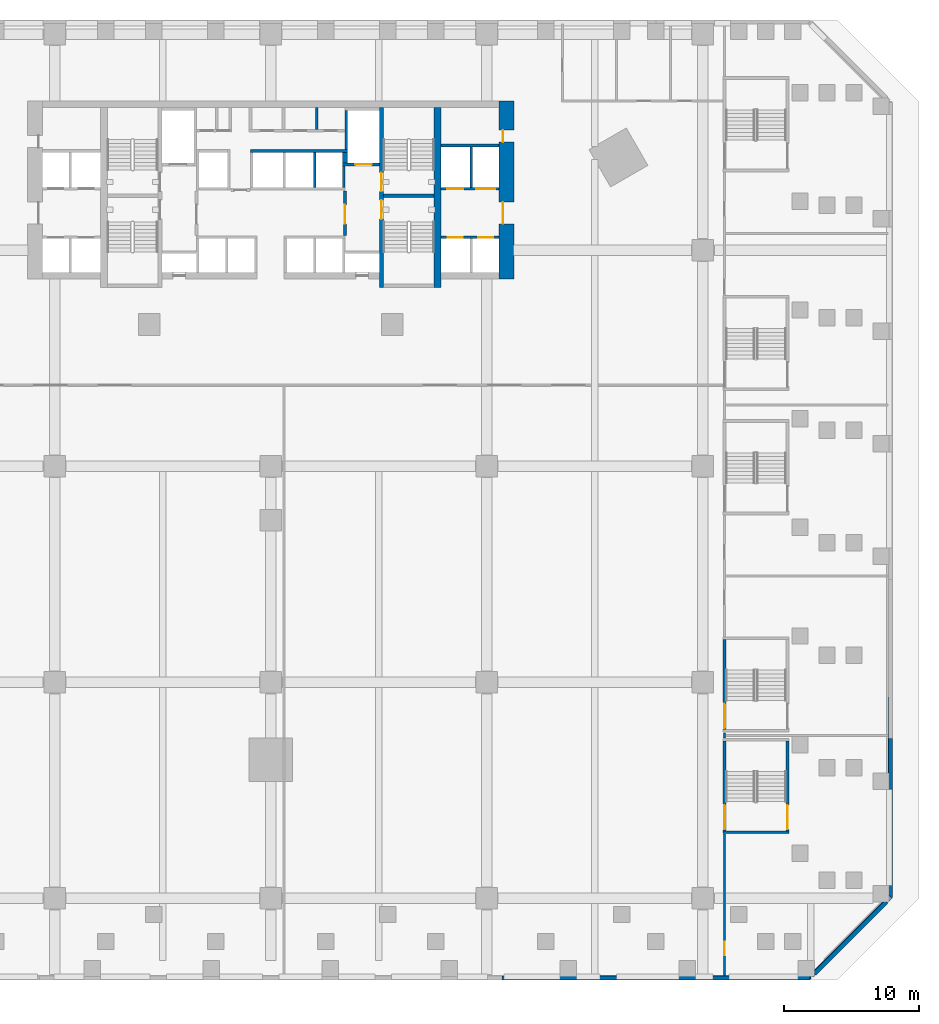
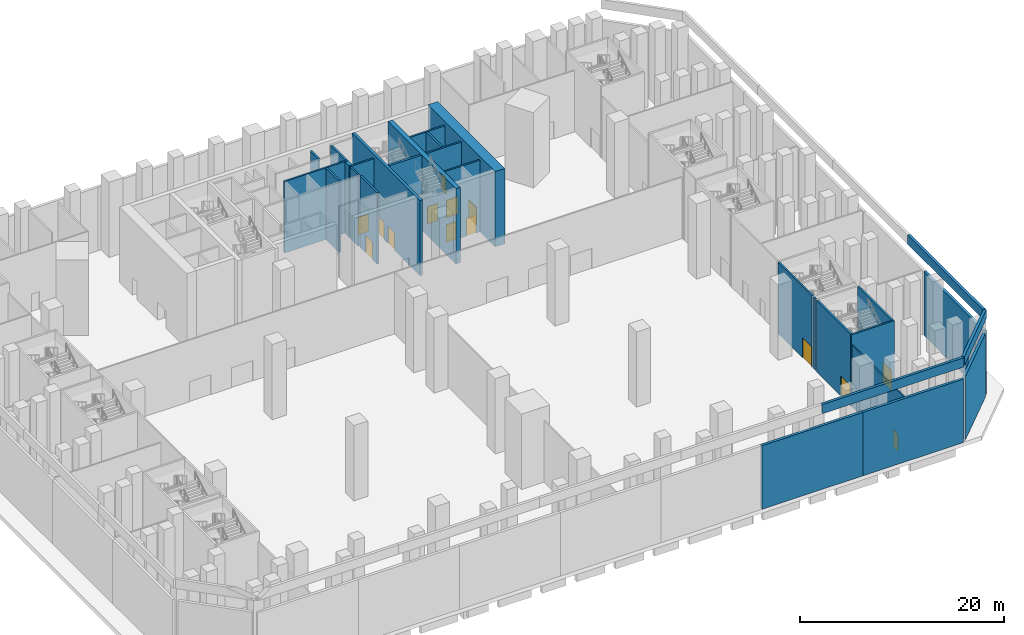
# One storey, part 8 of 25: 29 walls, 14 doors, 14 openings.
"""IFC4 building model written with IfcOpenShell, lengths in metres."""

from ifc_helpers import new_model, si_unit, direction, frame, frame_2d, origin, place, context, subcontext, project, spatial, rectangle, extrude, material, layer, layer_set, type_object, element, fill, save


model = new_model("IFC4")

# Units and contexts
model_context = context("Model", 3, precision=1e-05, world=origin(), true_north=direction((0.0, 1.0)))
body_context = subcontext(model_context, "Body", "Model", "MODEL_VIEW")
ifc_project = project(units=[si_unit("LENGTHUNIT", "METRE"), si_unit("AREAUNIT", "SQUARE_METRE"), si_unit("VOLUMEUNIT", "CUBIC_METRE"), si_unit("PLANEANGLEUNIT", "RADIAN"), si_unit("MASSUNIT", "GRAM", prefix="KILO")], contexts=[model_context])

# Site, building, storey
site_placement = place(None, origin())
site = spatial("IfcSite", under=ifc_project, at=site_placement, CompositionType="ELEMENT")
building_placement = place(site_placement, origin())
building = spatial("IfcBuilding", under=site, at=building_placement, Name="Calabash Gate Tower", CompositionType="ELEMENT")
storey_placement = place(building_placement, frame((0.0, 0.0, 20.0)))
storey = spatial("IfcBuildingStorey", under=building, at=storey_placement, Name="L02", CompositionType="ELEMENT", Elevation=20.0)

# Wall
ifc_material_1 = material(Name="Gypsum board on steel studs, mineral wool", Category="steel")
ifc_layer_1 = layer(ifc_material_1, 0.199951171875)
ifc_layer_set_1 = layer_set([ifc_layer_1], Name="Core partition 200 gypsum board")
wall_type_1 = type_object("IfcWallType", Name="Core partition 200 gypsum board", PredefinedType="PARTITIONING", material=ifc_layer_set_1)
wall_1_placement = place(storey_placement, frame((3.39990234375, 16.95263671875, 0.0), z_axis=(0.0, 0.0, 1.0), x_axis=(0.0, 1.0, 0.0)))
element("IfcWall", 1, at=wall_1_placement, inside=storey, type_object=wall_type_1, Name="Core partition", PredefinedType="PARTITIONING", context=body_context, shape_type="SweptSolid", body=[
    extrude(rectangle(XDim=1.599853515625, YDim=0.199951171875, at=frame_2d((0.7998046875, 0.0))), origin(), (0.0, 0.0, 1.0), 8.550048828125),
])

# Wall, openings, doors
ifc_material_2 = material(Name="Concrete C80/95", Category="concrete")
ifc_layer_2 = layer(ifc_material_2, 1.10009765625)
ifc_layer_set_2 = layer_set([ifc_layer_2], Name="Core wall 1100 Concrete C80/95")
wall_type_2 = type_object("IfcWallType", Name="Core wall 1100 Concrete C80/95", PredefinedType="SHEAR", material=ifc_layer_set_2)
wall_2_placement = place(storey_placement, frame((17.449951171875, 5.8525390625, 0.0), z_axis=(0.0, 0.0, 1.0), x_axis=(0.0, 1.0, 0.0)))
wall_2 = element("IfcWall", 2, at=wall_2_placement, inside=storey, type_object=wall_type_2, Name="Core wall Z0-ENDE L02", PredefinedType="SHEAR", context=body_context, shape_type="SweptSolid", body=[
    extrude(rectangle(XDim=13.199951171875, YDim=1.10009765625, at=frame_2d((6.60009765625, 0.0))), origin(), (0.0, 0.0, 1.0), 9.0),
])
opening_1_placement = place(wall_2_placement, frame((4.10009765625, 0.0, 0.0)))
opening_1 = element("IfcOpeningElement", 3, at=opening_1_placement, cuts=wall_2, Name="Opening L02-017", PredefinedType="OPENING", context=body_context, shape_type="SweptSolid", body=[
    extrude(rectangle(XDim=1.60009765625, YDim=2.10009765625, at=frame_2d((0.800048828125, 1.050048828125))), frame((0.0, 0.56005859375, 0.0), z_axis=(0.0, -1.0, 0.0), x_axis=(1.0, 0.0, 0.0)), (0.0, 0.0, 1.0), 1.1201171875),
])
opening_2_placement = place(wall_2_placement, frame((10.14990234375, 0.0, 0.0)))
opening_2 = element("IfcOpeningElement", 4, at=opening_2_placement, cuts=wall_2, Name="Opening L02-018", PredefinedType="OPENING", context=body_context, shape_type="SweptSolid", body=[
    extrude(rectangle(XDim=0.89990234375, YDim=2.10009765625, at=frame_2d((0.449951171875, 1.050048828125))), frame((0.0, 0.56005859375, 0.0), z_axis=(0.0, -1.0, 0.0), x_axis=(1.0, 0.0, 0.0)), (0.0, 0.0, 1.0), 1.1201171875),
])
ifc_material_3 = material(Name="Steel fire door set with fire-resisting glazing", Category="steel")
door_type_1 = type_object("IfcDoorType", Name="Double fire door D08 1600x2100 FD60", OperationType="DOUBLE_DOOR_SINGLE_SWING", PredefinedType="DOOR", material=ifc_material_3)
door_1_placement = place(opening_1_placement, origin())
door_1 = element("IfcDoor", 5, at=door_1_placement, inside=storey, type_object=door_type_1, Name="Low-rise Lift Lobby E door", OperationType="DOUBLE_DOOR_SINGLE_SWING", OverallHeight=2.10009765625, OverallWidth=1.60009765625, PredefinedType="DOOR", context=body_context, shape_type="SweptSolid", body=[
    extrude(rectangle(XDim=1.60009765625, YDim=2.10009765625, at=frame_2d((0.800048828125, 1.050048828125))), frame((0.0, 0.27490234375, 0.0), z_axis=(0.0, -1.0, 0.0), x_axis=(1.0, 0.0, 0.0)), (0.0, 0.0, 1.0), 0.050048828125),
])
fill(opening_1, door_1)
ifc_material_4 = material(Name="Steel fire door set with fire-resisting glazing", Category="steel")
door_type_2 = type_object("IfcDoorType", Name="Fire door D06 900x2100 FD60", OperationType="NOTDEFINED", PredefinedType="DOOR", material=ifc_material_4)
door_2_placement = place(opening_2_placement, origin())
door_2 = element("IfcDoor", 6, at=door_2_placement, inside=storey, type_object=door_type_2, Name="Staff WC door", OperationType="SINGLE_SWING_LEFT", OverallHeight=2.10009765625, OverallWidth=0.89990234375, PredefinedType="DOOR", context=body_context, shape_type="SweptSolid", body=[
    extrude(rectangle(XDim=0.89990234375, YDim=2.10009765625, at=frame_2d((0.449951171875, 1.050048828125))), frame((0.0, 0.27490234375, 0.0), z_axis=(0.0, -1.0, 0.0), x_axis=(1.0, 0.0, 0.0)), (0.0, 0.0, 1.0), 0.050048828125),
])
fill(opening_2, door_2)

# Wall
ifc_material_5 = material(Name="Concrete C80/95", Category="concrete")
ifc_layer_3 = layer(ifc_material_5, 0.25)
ifc_layer_set_3 = layer_set([ifc_layer_3], Name="Core wall 250 Concrete C80/95")
wall_type_3 = type_object("IfcWallType", Name="Core wall 250 Concrete C80/95", PredefinedType="SHEAR", material=ifc_layer_set_3)
wall_3_placement = place(storey_placement, frame((8.35009765625, 12.027587890625, 0.0), z_axis=(0.0, 0.0, 1.0), x_axis=(1.0, 0.0, 0.0)))
element("IfcWall", 7, at=wall_3_placement, inside=storey, type_object=wall_type_3, Name="Core wall Z0-MIDE L02", PredefinedType="SHEAR", context=body_context, shape_type="SweptSolid", body=[
    extrude(rectangle(XDim=3.75, YDim=0.25, at=frame_2d((1.875, 0.0))), origin(), (0.0, 0.0, 1.0), 9.0),
])

# Wall, openings, doors
ifc_material_6 = material(Name="Concrete C80/95", Category="concrete")
ifc_layer_4 = layer(ifc_material_6, 0.300048828125)
ifc_layer_set_4 = layer_set([ifc_layer_4], Name="Core wall 300 Concrete C80/95")
wall_type_4 = type_object("IfcWallType", Name="Core wall 300 Concrete C80/95", PredefinedType="SHEAR", material=ifc_layer_set_4)
wall_4_placement = place(storey_placement, frame((8.199951171875, 5.252685546875, 0.0), z_axis=(0.0, 0.0, 1.0), x_axis=(0.0, 1.0, 0.0)))
wall_4 = element("IfcWall", 8, at=wall_4_placement, inside=storey, type_object=wall_type_4, Name="Core wall Z0-PARTE L02", PredefinedType="SHEAR", context=body_context, shape_type="SweptSolid", body=[
    extrude(rectangle(XDim=13.2998046875, YDim=0.300048828125, at=frame_2d((6.64990234375, 0.0))), origin(), (0.0, 0.0, 1.0), 9.0),
])
opening_3_placement = place(wall_4_placement, frame((7.10009765625, 0.0, 0.0)))
opening_3 = element("IfcOpeningElement", 9, at=opening_3_placement, cuts=wall_4, Name="Opening L02-003", PredefinedType="OPENING", context=body_context, shape_type="SweptSolid", body=[
    extrude(rectangle(XDim=1.39990234375, YDim=2.10009765625, at=frame_2d((0.699951171875, 1.050048828125))), frame((0.0, 0.159912109375, 0.0), z_axis=(0.0, -1.0, 0.0), x_axis=(1.0, 0.0, 0.0)), (0.0, 0.0, 1.0), 0.320068359375),
])
opening_4_placement = place(wall_4_placement, frame((5.050048828125, 0.0, 0.0)))
opening_4 = element("IfcOpeningElement", 10, at=opening_4_placement, cuts=wall_4, Name="Opening L02-004", PredefinedType="OPENING", context=body_context, shape_type="SweptSolid", body=[
    extrude(rectangle(XDim=1.39990234375, YDim=2.10009765625, at=frame_2d((0.699951171875, 1.050048828125))), frame((0.0, 0.159912109375, 0.0), z_axis=(0.0, -1.0, 0.0), x_axis=(1.0, 0.0, 0.0)), (0.0, 0.0, 1.0), 0.320068359375),
])
ifc_material_7 = material(Name="Steel fire door set with fire-resisting glazing", Category="steel")
door_type_3 = type_object("IfcDoorType", Name="Fire door D05 1400x2100 FD90", OperationType="NOTDEFINED", PredefinedType="DOOR", material=ifc_material_7)
door_3_placement = place(opening_3_placement, origin())
door_3 = element("IfcDoor", 11, at=door_3_placement, inside=storey, type_object=door_type_3, Name="Exit stair door ST3", OperationType="SINGLE_SWING_RIGHT", OverallHeight=2.10009765625, OverallWidth=1.39990234375, PredefinedType="DOOR", context=body_context, shape_type="SweptSolid", body=[
    extrude(rectangle(XDim=1.39990234375, YDim=2.10009765625, at=frame_2d((0.699951171875, 1.050048828125))), frame((0.0, 0.02490234375, 0.0), z_axis=(0.0, -1.0, 0.0), x_axis=(1.0, 0.0, 0.0)), (0.0, 0.0, 1.0), 0.050048828125),
])
fill(opening_3, door_3)
door_4_placement = place(opening_4_placement, origin())
door_4 = element("IfcDoor", 12, at=door_4_placement, inside=storey, type_object=door_type_3, Name="Exit stair door ST4", OperationType="SINGLE_SWING_LEFT", OverallHeight=2.10009765625, OverallWidth=1.39990234375, PredefinedType="DOOR", context=body_context, shape_type="SweptSolid", body=[
    extrude(rectangle(XDim=1.39990234375, YDim=2.10009765625, at=frame_2d((0.699951171875, 1.050048828125))), frame((0.0, 0.02490234375, 0.0), z_axis=(0.0, -1.0, 0.0), x_axis=(1.0, 0.0, 0.0)), (0.0, 0.0, 1.0), 0.050048828125),
])
fill(opening_4, door_4)

# Wall
ifc_material_8 = material(Name="Concrete C80/95", Category="concrete")
ifc_layer_5 = layer(ifc_material_8, 0.5)
ifc_layer_set_5 = layer_set([ifc_layer_5], Name="Core wall 500 Concrete C80/95")
wall_type_5 = type_object("IfcWallType", Name="Core wall 500 Concrete C80/95", PredefinedType="SHEAR", material=ifc_layer_set_5)
wall_5_placement = place(storey_placement, frame((12.35009765625, 5.252685546875, 0.0), z_axis=(0.0, 0.0, 1.0), x_axis=(0.0, 1.0, 0.0)))
element("IfcWall", 13, at=wall_5_placement, inside=storey, type_object=wall_type_5, Name="Core wall Z0-COLE L02", PredefinedType="SHEAR", context=body_context, shape_type="SweptSolid", body=[
    extrude(rectangle(XDim=13.2998046875, YDim=0.5, at=frame_2d((6.64990234375, 0.0))), origin(), (0.0, 0.0, 1.0), 9.0),
])

# Wall, opening, door
ifc_material_9 = material(Name="Gypsum board on steel studs, mineral wool", Category="steel")
ifc_layer_6 = layer(ifc_material_9, 0.14990234375)
ifc_layer_set_6 = layer_set([ifc_layer_6], Name="Partition 150 gypsum board")
wall_type_6 = type_object("IfcWallType", Name="Partition 150 gypsum board", PredefinedType="PARTITIONING", material=ifc_layer_set_6)
wall_6_placement = place(storey_placement, frame((33.60009765625, -45.719970703125, 0.0), z_axis=(0.0, 0.0, 1.0), x_axis=(0.0, 1.0, 0.0)))
wall_6 = element("IfcWall", 14, at=wall_6_placement, inside=storey, type_object=wall_type_6, Name="Partition", PredefinedType="PARTITIONING", context=body_context, shape_type="SweptSolid", body=[
    extrude(rectangle(XDim=10.47998046875, YDim=0.14990234375, at=frame_2d((5.239990234375, 0.0))), origin(), (0.0, 0.0, 1.0), 7.35009765625),
])
opening_5_placement = place(wall_6_placement, frame((1.51904296875, 0.0, 0.0)))
opening_5 = element("IfcOpeningElement", 15, at=opening_5_placement, cuts=wall_6, Name="Opening L02-056", PredefinedType="OPENING", context=body_context, shape_type="SweptSolid", body=[
    extrude(rectangle(XDim=1.0, YDim=2.10009765625, at=frame_2d((0.5, 1.050048828125))), frame((0.0, 0.0849609375, 0.0), z_axis=(0.0, -1.0, 0.0), x_axis=(1.0, 0.0, 0.0)), (0.0, 0.0, 1.0), 0.169921875),
])
ifc_material_10 = material(Name="Steel fire door set with fire-resisting glazing", Category="steel")
door_type_4 = type_object("IfcDoorType", Name="Fire door D11 1000x2100 FD60", OperationType="NOTDEFINED", PredefinedType="DOOR", material=ifc_material_10)
door_5_placement = place(opening_5_placement, origin())
door_5 = element("IfcDoor", 16, at=door_5_placement, inside=storey, type_object=door_type_4, Name="Meeting Room 201 door", OperationType="SINGLE_SWING_LEFT", OverallHeight=2.10009765625, OverallWidth=1.0, PredefinedType="DOOR", context=body_context, shape_type="SweptSolid", body=[
    extrude(rectangle(XDim=1.0, YDim=2.10009765625, at=frame_2d((0.5, 1.050048828125))), frame((0.0, 0.02490234375, 0.0), z_axis=(0.0, -1.0, 0.0), x_axis=(1.0, 0.0, 0.0)), (0.0, 0.0, 1.0), 0.050048828125),
])
fill(opening_5, door_5)

# Walls
wall_7_placement = place(storey_placement, frame((33.60009765625, -28.110107421875, 0.0), z_axis=(0.0, 0.0, 1.0), x_axis=(0.0, 1.0, 0.0)))
element("IfcWall", 17, at=wall_7_placement, inside=storey, type_object=wall_type_6, Name="Partition", PredefinedType="PARTITIONING", context=body_context, shape_type="SweptSolid", body=[
    extrude(rectangle(XDim=0.3701171875, YDim=0.14990234375, at=frame_2d((0.18505859375, 0.0))), origin(), (0.0, 0.0, 1.0), 8.550048828125),
])
ifc_material_11 = material(Name="Terracotta brick masonry, exposed face", Category="masonry")
ifc_layer_7 = layer(ifc_material_11, 0.300048828125)
ifc_layer_set_7 = layer_set([ifc_layer_7], Name="Podium brick wall 300")
wall_type_7 = type_object("IfcWallType", Name="Podium brick wall 300", PredefinedType="SOLIDWALL", material=ifc_layer_set_7)
for number, where, z_axis, x_axis, name in (
    (18, (17.121337890625, -45.89990234375, 0.0), (0.0, 0.0, 1.0), (1.0, 0.0, 0.0), "Podium brick wall L02 0.0.5"),
    (19, (28.53564453125, -45.89990234375, 0.0), (0.0, 0.0, 1.0), (1.0, 0.0, 0.0), "Podium brick wall L02 0.0.6"),
):
    element("IfcWall", number, at=place(storey_placement, frame(where, z_axis=z_axis, x_axis=x_axis)), inside=storey, type_object=wall_type_7, Name=name, PredefinedType="SOLIDWALL", context=body_context, shape_type="SweptSolid", body=[
        extrude(rectangle(XDim=11.414306640625, YDim=0.300048828125, at=frame_2d((5.70703125, 0.0))), origin(), (0.0, 0.0, 1.0), 7.60009765625),
    ])
wall_8_placement = place(storey_placement, frame((40.27099609375, -45.587646484375, 0.0), z_axis=(0.0, 0.0, 1.0), x_axis=(0.707106781187, 0.707106781187, 0.0)))
element("IfcWall", 20, at=wall_8_placement, inside=storey, type_object=wall_type_7, Name="Podium brick wall L02 1.0.0", PredefinedType="SOLIDWALL", context=body_context, shape_type="SweptSolid", body=[
    extrude(rectangle(XDim=7.518798828125, YDim=0.300048828125, at=frame_2d((3.75927734375, 0.0))), origin(), (0.0, 0.0, 1.0), 7.60009765625),
])
wall_9_placement = place(storey_placement, frame((45.89990234375, -39.949951171875, 0.0), z_axis=(0.0, 0.0, 1.0), x_axis=(0.0, 1.0, 0.0)))
element("IfcWall", 21, at=wall_9_placement, inside=storey, type_object=wall_type_7, Name="Podium brick wall L02 2.0.0", PredefinedType="SOLIDWALL", context=body_context, shape_type="SweptSolid", body=[
    extrude(rectangle(XDim=11.780029296875, YDim=0.300048828125, at=frame_2d((5.89013671875, 0.0))), origin(), (0.0, 0.0, 1.0), 7.60009765625),
])
ifc_material_12 = material(Name="Terracotta brick masonry, exposed face", Category="masonry")
ifc_layer_8 = layer(ifc_material_12, 0.300048828125)
ifc_layer_set_8 = layer_set([ifc_layer_8], Name="Podium parapet wall 300")
wall_type_8 = type_object("IfcWallType", Name="Podium parapet wall 300", PredefinedType="PARAPET", material=ifc_layer_set_8)
wall_10_placement = place(storey_placement, frame((24.0, -45.85009765625, 9.0), z_axis=(0.0, 0.0, 1.0), x_axis=(1.0, 0.0, 0.0)))
element("IfcWall", 22, at=wall_10_placement, inside=storey, type_object=wall_type_8, Name="Podium parapet L02 0.0.4", PredefinedType="PARAPET", context=body_context, shape_type="SweptSolid", body=[
    extrude(rectangle(XDim=16.0, YDim=0.300048828125, at=frame_2d((8.0, 0.0))), origin(), (0.0, 0.0, 1.0), 1.10009765625),
])
wall_11_placement = place(storey_placement, frame((40.04248046875, -45.745361328125, 9.0), z_axis=(0.0, 0.0, 1.0), x_axis=(0.7071215324, 0.707092029666, 0.0)))
element("IfcWall", 23, at=wall_11_placement, inside=storey, type_object=wall_type_8, Name="Podium parapet L02 1.0.0", PredefinedType="PARAPET", context=body_context, shape_type="SweptSolid", body=[
    extrude(rectangle(XDim=8.275146484375, YDim=0.300048828125, at=frame_2d((4.1376953125, 0.0))), origin(), (0.0, 0.0, 1.0), 1.10009765625),
])
wall_12_placement = place(storey_placement, frame((45.85009765625, -39.7900390625, 9.0), z_axis=(0.0, 0.0, 1.0), x_axis=(0.0, 1.0, 0.0)))
element("IfcWall", 24, at=wall_12_placement, inside=storey, type_object=wall_type_8, Name="Podium parapet L02 2.0.0", PredefinedType="PARAPET", context=body_context, shape_type="SweptSolid", body=[
    extrude(rectangle(XDim=14.697509765625, YDim=0.300048828125, at=frame_2d((7.3486328125, 0.0))), origin(), (0.0, 0.0, 1.0), 1.10009765625),
])

# Wall, openings, doors
ifc_material_13 = material(Name="Concrete C40/50", Category="concrete")
ifc_layer_9 = layer(ifc_material_13, 0.199951171875)
ifc_layer_set_9 = layer_set([ifc_layer_9], Name="Shaft wall 200 Concrete C40/50")
wall_type_9 = type_object("IfcWallType", Name="Shaft wall 200 Concrete C40/50", PredefinedType="SOLIDWALL", material=ifc_layer_set_9)
wall_13_placement = place(storey_placement, frame((12.60009765625, 8.95263671875, 0.0), z_axis=(0.0, 0.0, 1.0), x_axis=(1.0, 0.0, 0.0)))
wall_13 = element("IfcWall", 25, at=wall_13_placement, inside=storey, type_object=wall_type_9, Name="Shaft wall", PredefinedType="SOLIDWALL", context=body_context, shape_type="SweptSolid", body=[
    extrude(rectangle(XDim=4.2998046875, YDim=0.199951171875, at=frame_2d((2.14990234375, 0.0))), origin(), (0.0, 0.0, 1.0), 8.550048828125),
])
opening_6_placement = place(wall_13_placement, frame((0.52490234375, 0.0, 0.0)))
opening_6 = element("IfcOpeningElement", 26, at=opening_6_placement, cuts=wall_13, Name="Opening LD-LR5", PredefinedType="OPENING", context=body_context, shape_type="SweptSolid", body=[
    extrude(rectangle(XDim=1.10009765625, YDim=2.10009765625, at=frame_2d((0.550048828125, 1.050048828125))), frame((0.0, 0.10986328125, 0.0), z_axis=(0.0, -1.0, 0.0), x_axis=(1.0, 0.0, 0.0)), (0.0, 0.0, 1.0), 0.219970703125),
])
opening_7_placement = place(wall_13_placement, frame((2.77490234375, 0.0, 0.0)))
opening_7 = element("IfcOpeningElement", 27, at=opening_7_placement, cuts=wall_13, Name="Opening LD-LR6", PredefinedType="OPENING", context=body_context, shape_type="SweptSolid", body=[
    extrude(rectangle(XDim=1.10009765625, YDim=2.10009765625, at=frame_2d((0.550048828125, 1.050048828125))), frame((0.0, 0.10986328125, 0.0), z_axis=(0.0, -1.0, 0.0), x_axis=(1.0, 0.0, 0.0)), (0.0, 0.0, 1.0), 0.219970703125),
])
ifc_material_14 = material(Name="Stainless steel sliding door leaves", Category="steel")
door_type_5 = type_object("IfcDoorType", Name="Lift landing door LS1 1100x2100 FD90", OperationType="DOUBLE_DOOR_SLIDING", PredefinedType="DOOR", material=ifc_material_14)
door_6_placement = place(opening_6_placement, origin())
door_6 = element("IfcDoor", 28, at=door_6_placement, inside=storey, type_object=door_type_5, Name="Lift landing door LR5", OperationType="DOUBLE_DOOR_SLIDING", OverallHeight=2.10009765625, OverallWidth=1.10009765625, PredefinedType="DOOR", context=body_context, shape_type="SweptSolid", body=[
    extrude(rectangle(XDim=1.10009765625, YDim=2.10009765625, at=frame_2d((0.550048828125, 1.050048828125))), frame((0.0, 0.02490234375, 0.0), z_axis=(0.0, -1.0, 0.0), x_axis=(1.0, 0.0, 0.0)), (0.0, 0.0, 1.0), 0.050048828125),
])
fill(opening_6, door_6)
door_7_placement = place(opening_7_placement, origin())
door_7 = element("IfcDoor", 29, at=door_7_placement, inside=storey, type_object=door_type_5, Name="Lift landing door LR6", OperationType="DOUBLE_DOOR_SLIDING", OverallHeight=2.10009765625, OverallWidth=1.10009765625, PredefinedType="DOOR", context=body_context, shape_type="SweptSolid", body=[
    extrude(rectangle(XDim=1.10009765625, YDim=2.10009765625, at=frame_2d((0.550048828125, 1.050048828125))), frame((0.0, 0.02490234375, 0.0), z_axis=(0.0, -1.0, 0.0), x_axis=(1.0, 0.0, 0.0)), (0.0, 0.0, 1.0), 0.050048828125),
])
fill(opening_7, door_7)

# Wall, opening, door
wall_14_placement = place(storey_placement, frame((5.5, 9.1025390625, 0.0), z_axis=(0.0, 0.0, 1.0), x_axis=(0.0, 1.0, 0.0)))
wall_14 = element("IfcWall", 30, at=wall_14_placement, inside=storey, type_object=wall_type_9, Name="Shaft wall", PredefinedType="SOLIDWALL", context=body_context, shape_type="SweptSolid", body=[
    extrude(rectangle(XDim=3.300048828125, YDim=0.199951171875, at=frame_2d((1.64990234375, 0.0))), origin(), (0.0, 0.0, 1.0), 8.550048828125),
])
opening_8_placement = place(wall_14_placement, frame((0.85009765625, 0.0, 0.0)))
opening_8 = element("IfcOpeningElement", 31, at=opening_8_placement, cuts=wall_14, Name="Opening L02-007", PredefinedType="OPENING", context=body_context, shape_type="SweptSolid", body=[
    extrude(rectangle(XDim=1.39990234375, YDim=2.10009765625, at=frame_2d((0.699951171875, 1.050048828125))), frame((0.0, 0.10986328125, 0.0), z_axis=(0.0, -1.0, 0.0), x_axis=(1.0, 0.0, 0.0)), (0.0, 0.0, 1.0), 0.219970703125),
])
door_8_placement = place(opening_8_placement, origin())
door_8 = element("IfcDoor", 32, at=door_8_placement, inside=storey, type_object=door_type_3, Name="Firefighting Lobby E door", OperationType="SINGLE_SWING_LEFT", OverallHeight=2.10009765625, OverallWidth=1.39990234375, PredefinedType="DOOR", context=body_context, shape_type="SweptSolid", body=[
    extrude(rectangle(XDim=1.39990234375, YDim=2.10009765625, at=frame_2d((0.699951171875, 1.050048828125))), frame((0.0, 0.02490234375, 0.0), z_axis=(0.0, -1.0, 0.0), x_axis=(1.0, 0.0, 0.0)), (0.0, 0.0, 1.0), 0.050048828125),
])
fill(opening_8, door_8)

# Wall, openings, doors
wall_15_placement = place(storey_placement, frame((12.60009765625, 12.552490234375, 0.0), z_axis=(0.0, 0.0, 1.0), x_axis=(1.0, 0.0, 0.0)))
wall_15 = element("IfcWall", 33, at=wall_15_placement, inside=storey, type_object=wall_type_9, Name="Shaft wall", PredefinedType="SOLIDWALL", context=body_context, shape_type="SweptSolid", body=[
    extrude(rectangle(XDim=4.2998046875, YDim=0.199951171875, at=frame_2d((2.14990234375, 0.0))), origin(), (0.0, 0.0, 1.0), 8.550048828125),
])
opening_9_placement = place(wall_15_placement, frame((0.47509765625, 0.0, 0.0)))
opening_9 = element("IfcOpeningElement", 34, at=opening_9_placement, cuts=wall_15, Name="Opening LD-SL1", PredefinedType="OPENING", context=body_context, shape_type="SweptSolid", body=[
    extrude(rectangle(XDim=1.199951171875, YDim=2.10009765625, at=frame_2d((0.60009765625, 1.050048828125))), frame((0.0, 0.10986328125, 0.0), z_axis=(0.0, -1.0, 0.0), x_axis=(1.0, 0.0, 0.0)), (0.0, 0.0, 1.0), 0.219970703125),
])
opening_10_placement = place(wall_15_placement, frame((2.625, 0.0, 0.0)))
opening_10 = element("IfcOpeningElement", 35, at=opening_10_placement, cuts=wall_15, Name="Opening LD-GL1", PredefinedType="OPENING", context=body_context, shape_type="SweptSolid", body=[
    extrude(rectangle(XDim=1.39990234375, YDim=2.10009765625, at=frame_2d((0.699951171875, 1.050048828125))), frame((0.0, 0.10986328125, 0.0), z_axis=(0.0, -1.0, 0.0), x_axis=(1.0, 0.0, 0.0)), (0.0, 0.0, 1.0), 0.219970703125),
])
ifc_material_15 = material(Name="Stainless steel sliding door leaves", Category="steel")
door_type_6 = type_object("IfcDoorType", Name="Lift landing door LS3 1200x2100 FD90", OperationType="DOUBLE_DOOR_SLIDING", PredefinedType="DOOR", material=ifc_material_15)
door_9_placement = place(opening_9_placement, origin())
door_9 = element("IfcDoor", 36, at=door_9_placement, inside=storey, type_object=door_type_6, Name="Lift landing door SL1", OperationType="DOUBLE_DOOR_SLIDING", OverallHeight=2.10009765625, OverallWidth=1.199951171875, PredefinedType="DOOR", context=body_context, shape_type="SweptSolid", body=[
    extrude(rectangle(XDim=1.199951171875, YDim=2.10009765625, at=frame_2d((0.60009765625, 1.050048828125))), frame((0.0, 0.02490234375, 0.0), z_axis=(0.0, -1.0, 0.0), x_axis=(1.0, 0.0, 0.0)), (0.0, 0.0, 1.0), 0.050048828125),
])
fill(opening_9, door_9)
ifc_material_16 = material(Name="Stainless steel sliding door leaves", Category="steel")
door_type_7 = type_object("IfcDoorType", Name="Lift landing door LS4 1400x2100 FD90", OperationType="DOUBLE_DOOR_SLIDING", PredefinedType="DOOR", material=ifc_material_16)
door_10_placement = place(opening_10_placement, origin())
door_10 = element("IfcDoor", 37, at=door_10_placement, inside=storey, type_object=door_type_7, Name="Lift landing door GL1", OperationType="DOUBLE_DOOR_SLIDING", OverallHeight=2.10009765625, OverallWidth=1.39990234375, PredefinedType="DOOR", context=body_context, shape_type="SweptSolid", body=[
    extrude(rectangle(XDim=1.39990234375, YDim=2.10009765625, at=frame_2d((0.699951171875, 1.050048828125))), frame((0.0, 0.02490234375, 0.0), z_axis=(0.0, -1.0, 0.0), x_axis=(1.0, 0.0, 0.0)), (0.0, 0.0, 1.0), 0.050048828125),
])
fill(opening_10, door_10)

# Walls
wall_16_placement = place(storey_placement, frame((3.25, 12.652587890625, 0.0), z_axis=(0.0, 0.0, 1.0), x_axis=(0.0, 1.0, 0.0)))
element("IfcWall", 38, at=wall_16_placement, inside=storey, type_object=wall_type_9, Name="Shaft wall", PredefinedType="SOLIDWALL", context=body_context, shape_type="SweptSolid", body=[
    extrude(rectangle(XDim=2.60009765625, YDim=0.199951171875, at=frame_2d((1.300048828125, 0.0))), origin(), (0.0, 0.0, 1.0), 8.550048828125),
])
wall_17_placement = place(storey_placement, frame((5.39990234375, 12.652587890625, 0.0), z_axis=(0.0, 0.0, 1.0), x_axis=(0.0, 1.0, 0.0)))
element("IfcWall", 39, at=wall_17_placement, inside=storey, type_object=wall_type_9, Name="Shaft wall", PredefinedType="SOLIDWALL", context=body_context, shape_type="SweptSolid", body=[
    extrude(rectangle(XDim=1.60009765625, YDim=0.199951171875, at=frame_2d((0.800048828125, 0.0))), origin(), (0.0, 0.0, 1.0), 8.550048828125),
])
wall_18_placement = place(storey_placement, frame((14.85009765625, 12.652587890625, 0.0), z_axis=(0.0, 0.0, 1.0), x_axis=(0.0, 1.0, 0.0)))
element("IfcWall", 40, at=wall_18_placement, inside=storey, type_object=wall_type_9, Name="Shaft wall", PredefinedType="SOLIDWALL", context=body_context, shape_type="SweptSolid", body=[
    extrude(rectangle(XDim=3.0, YDim=0.199951171875, at=frame_2d((1.5, 0.0))), origin(), (0.0, 0.0, 1.0), 8.550048828125),
])

# Wall, opening, door
wall_19_placement = place(storey_placement, frame((5.300048828125, 14.3525390625, 0.0), z_axis=(0.0, 0.0, 1.0), x_axis=(1.0, 0.0, 0.0)))
wall_19 = element("IfcWall", 41, at=wall_19_placement, inside=storey, type_object=wall_type_9, Name="Shaft wall", PredefinedType="SOLIDWALL", context=body_context, shape_type="SweptSolid", body=[
    extrude(rectangle(XDim=2.75, YDim=0.199951171875, at=frame_2d((1.375, 0.0))), origin(), (0.0, 0.0, 1.0), 8.550048828125),
])
opening_11_placement = place(wall_19_placement, frame((0.97509765625, 0.0, 0.0)))
opening_11 = element("IfcOpeningElement", 42, at=opening_11_placement, cuts=wall_19, Name="Opening LD-FF2", PredefinedType="OPENING", context=body_context, shape_type="SweptSolid", body=[
    extrude(rectangle(XDim=1.199951171875, YDim=2.10009765625, at=frame_2d((0.60009765625, 1.050048828125))), frame((0.0, 0.10986328125, 0.0), z_axis=(0.0, -1.0, 0.0), x_axis=(1.0, 0.0, 0.0)), (0.0, 0.0, 1.0), 0.219970703125),
])
door_11_placement = place(opening_11_placement, origin())
door_11 = element("IfcDoor", 43, at=door_11_placement, inside=storey, type_object=door_type_6, Name="Lift landing door FF2", OperationType="DOUBLE_DOOR_SLIDING", OverallHeight=2.10009765625, OverallWidth=1.199951171875, PredefinedType="DOOR", context=body_context, shape_type="SweptSolid", body=[
    extrude(rectangle(XDim=1.199951171875, YDim=2.10009765625, at=frame_2d((0.60009765625, 1.050048828125))), frame((0.0, 0.02490234375, 0.0), z_axis=(0.0, -1.0, 0.0), x_axis=(1.0, 0.0, 0.0)), (0.0, 0.0, 1.0), 0.050048828125),
])
fill(opening_11, door_11)

# Walls
wall_20_placement = place(storey_placement, frame((5.5, 14.45263671875, 0.0), z_axis=(0.0, 0.0, 1.0), x_axis=(0.0, 1.0, 0.0)))
element("IfcWall", 44, at=wall_20_placement, inside=storey, type_object=wall_type_9, Name="Shaft wall", PredefinedType="SOLIDWALL", context=body_context, shape_type="SweptSolid", body=[
    extrude(rectangle(XDim=0.800048828125, YDim=0.39990234375, at=frame_2d((0.39990234375, 0.0))), origin(), (0.0, 0.0, 1.0), 8.550048828125),
])
wall_21_placement = place(storey_placement, frame((-1.5, 15.3525390625, 0.0), z_axis=(0.0, 0.0, 1.0), x_axis=(1.0, 0.0, 0.0)))
element("IfcWall", 45, at=wall_21_placement, inside=storey, type_object=wall_type_9, Name="Shaft wall", PredefinedType="SOLIDWALL", context=body_context, shape_type="SweptSolid", body=[
    extrude(rectangle(XDim=7.199951171875, YDim=0.199951171875, at=frame_2d((3.60009765625, 0.0))), origin(), (0.0, 0.0, 1.0), 8.550048828125),
])
wall_22_placement = place(storey_placement, frame((5.60009765625, 15.45263671875, 0.0), z_axis=(0.0, 0.0, 1.0), x_axis=(0.0, 1.0, 0.0)))
element("IfcWall", 46, at=wall_22_placement, inside=storey, type_object=wall_type_9, Name="Shaft wall", PredefinedType="SOLIDWALL", context=body_context, shape_type="SweptSolid", body=[
    extrude(rectangle(XDim=2.89990234375, YDim=0.199951171875, at=frame_2d((1.449951171875, 0.0))), origin(), (0.0, 0.0, 1.0), 8.550048828125),
])
wall_23_placement = place(storey_placement, frame((12.60009765625, 15.752685546875, 0.0), z_axis=(0.0, 0.0, 1.0), x_axis=(1.0, 0.0, 0.0)))
element("IfcWall", 47, at=wall_23_placement, inside=storey, type_object=wall_type_9, Name="Shaft wall", PredefinedType="SOLIDWALL", context=body_context, shape_type="SweptSolid", body=[
    extrude(rectangle(XDim=4.2998046875, YDim=0.199951171875, at=frame_2d((2.14990234375, 0.0))), origin(), (0.0, 0.0, 1.0), 8.550048828125),
])
ifc_material_17 = material(Name="Concrete C40/50", Category="concrete")
ifc_layer_10 = layer(ifc_material_17, 0.199951171875)
ifc_layer_set_10 = layer_set([ifc_layer_10], Name="Stair wall 200 Concrete C40/50")
wall_type_10 = type_object("IfcWallType", Name="Stair wall 200 Concrete C40/50", PredefinedType="SOLIDWALL", material=ifc_layer_set_10)
wall_24_placement = place(storey_placement, frame((33.5, -35.10009765625, 0.0), z_axis=(0.0, 0.0, 1.0), x_axis=(1.0, 0.0, 0.0)))
element("IfcWall", 48, at=wall_24_placement, inside=storey, type_object=wall_type_10, Name="Stair wall", PredefinedType="SOLIDWALL", context=body_context, shape_type="SweptSolid", body=[
    extrude(rectangle(XDim=4.8701171875, YDim=0.199951171875, at=frame_2d((2.43505859375, 0.0))), origin(), (0.0, 0.0, 1.0), 8.550048828125),
])

# Wall, opening, door
wall_25_placement = place(storey_placement, frame((33.60009765625, -35.0, 0.0), z_axis=(0.0, 0.0, 1.0), x_axis=(0.0, 1.0, 0.0)))
wall_25 = element("IfcWall", 49, at=wall_25_placement, inside=storey, type_object=wall_type_10, Name="Stair wall", PredefinedType="SOLIDWALL", context=body_context, shape_type="SweptSolid", body=[
    extrude(rectangle(XDim=6.64990234375, YDim=0.199951171875, at=frame_2d((3.324951171875, 0.0))), origin(), (0.0, 0.0, 1.0), 8.550048828125),
])
opening_12_placement = place(wall_25_placement, frame((0.10009765625, 0.0, 0.0)))
opening_12 = element("IfcOpeningElement", 50, at=opening_12_placement, cuts=wall_25, Name="Opening L02-029", PredefinedType="OPENING", context=body_context, shape_type="SweptSolid", body=[
    extrude(rectangle(XDim=1.800048828125, YDim=2.39990234375, at=frame_2d((0.89990234375, 1.199951171875))), frame((0.0, 0.10986328125, 0.0), z_axis=(0.0, -1.0, 0.0), x_axis=(1.0, 0.0, 0.0)), (0.0, 0.0, 1.0), 0.219970703125),
])
ifc_material_18 = material(Name="Steel fire door set with fire-resisting glazing", Category="steel")
door_type_8 = type_object("IfcDoorType", Name="Double fire door D16 1800x2400 FD90", OperationType="DOUBLE_DOOR_SINGLE_SWING", PredefinedType="DOOR", material=ifc_material_18)
door_12_placement = place(opening_12_placement, origin())
door_12 = element("IfcDoor", 51, at=door_12_placement, inside=storey, type_object=door_type_8, Name="Exit stair door PS6", OperationType="DOUBLE_DOOR_SINGLE_SWING", OverallHeight=2.39990234375, OverallWidth=1.800048828125, PredefinedType="DOOR", context=body_context, shape_type="SweptSolid", body=[
    extrude(rectangle(XDim=1.800048828125, YDim=2.39990234375, at=frame_2d((0.89990234375, 1.199951171875))), frame((0.0, 0.02490234375, 0.0), z_axis=(0.0, -1.0, 0.0), x_axis=(1.0, 0.0, 0.0)), (0.0, 0.0, 1.0), 0.050048828125),
])
fill(opening_12, door_12)

wall_26_placement = place(storey_placement, frame((38.27001953125, -35.0, 0.0), z_axis=(0.0, 0.0, 1.0), x_axis=(0.0, 1.0, 0.0)))
wall_26 = element("IfcWall", 52, at=wall_26_placement, inside=storey, type_object=wall_type_10, Name="Stair wall", PredefinedType="SOLIDWALL", context=body_context, shape_type="SweptSolid", body=[
    extrude(rectangle(XDim=6.64990234375, YDim=0.199951171875, at=frame_2d((3.324951171875, 0.0))), origin(), (0.0, 0.0, 1.0), 8.550048828125),
])
opening_13_placement = place(wall_26_placement, frame((0.10009765625, 0.0, 0.0)))
opening_13 = element("IfcOpeningElement", 53, at=opening_13_placement, cuts=wall_26, Name="Opening L02-030", PredefinedType="OPENING", context=body_context, shape_type="SweptSolid", body=[
    extrude(rectangle(XDim=1.800048828125, YDim=2.39990234375, at=frame_2d((0.89990234375, 1.199951171875))), frame((0.0, 0.10986328125, 0.0), z_axis=(0.0, -1.0, 0.0), x_axis=(1.0, 0.0, 0.0)), (0.0, 0.0, 1.0), 0.219970703125),
])
door_13_placement = place(opening_13_placement, origin())
door_13 = element("IfcDoor", 54, at=door_13_placement, inside=storey, type_object=door_type_8, Name="Exit stair door PS6", OperationType="DOUBLE_DOOR_SINGLE_SWING", OverallHeight=2.39990234375, OverallWidth=1.800048828125, PredefinedType="DOOR", context=body_context, shape_type="SweptSolid", body=[
    extrude(rectangle(XDim=1.800048828125, YDim=2.39990234375, at=frame_2d((0.89990234375, 1.199951171875))), frame((0.0, 0.02490234375, 0.0), z_axis=(0.0, -1.0, 0.0), x_axis=(1.0, 0.0, 0.0)), (0.0, 0.0, 1.0), 0.050048828125),
])
fill(opening_13, door_13)

wall_27_placement = place(storey_placement, frame((33.60009765625, -27.5, 0.0), z_axis=(0.0, 0.0, 1.0), x_axis=(0.0, 1.0, 0.0)))
wall_27 = element("IfcWall", 55, at=wall_27_placement, inside=storey, type_object=wall_type_10, Name="Stair wall", PredefinedType="SOLIDWALL", context=body_context, shape_type="SweptSolid", body=[
    extrude(rectangle(XDim=6.64990234375, YDim=0.199951171875, at=frame_2d((3.324951171875, 0.0))), origin(), (0.0, 0.0, 1.0), 8.550048828125),
])
opening_14_placement = place(wall_27_placement, frame((0.10009765625, 0.0, 0.0)))
opening_14 = element("IfcOpeningElement", 56, at=opening_14_placement, cuts=wall_27, Name="Opening L02-031", PredefinedType="OPENING", context=body_context, shape_type="SweptSolid", body=[
    extrude(rectangle(XDim=1.800048828125, YDim=2.39990234375, at=frame_2d((0.89990234375, 1.199951171875))), frame((0.0, 0.10986328125, 0.0), z_axis=(0.0, -1.0, 0.0), x_axis=(1.0, 0.0, 0.0)), (0.0, 0.0, 1.0), 0.219970703125),
])
door_14_placement = place(opening_14_placement, origin())
door_14 = element("IfcDoor", 57, at=door_14_placement, inside=storey, type_object=door_type_8, Name="Exit stair door PS7", OperationType="DOUBLE_DOOR_SINGLE_SWING", OverallHeight=2.39990234375, OverallWidth=1.800048828125, PredefinedType="DOOR", context=body_context, shape_type="SweptSolid", body=[
    extrude(rectangle(XDim=1.800048828125, YDim=2.39990234375, at=frame_2d((0.89990234375, 1.199951171875))), frame((0.0, 0.02490234375, 0.0), z_axis=(0.0, -1.0, 0.0), x_axis=(1.0, 0.0, 0.0)), (0.0, 0.0, 1.0), 0.050048828125),
])
fill(opening_14, door_14)

save(model, "model.ifc")
